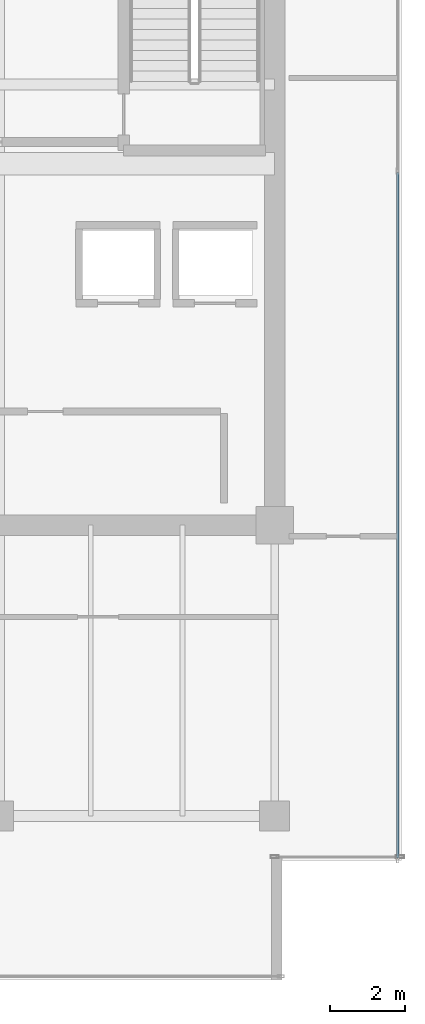
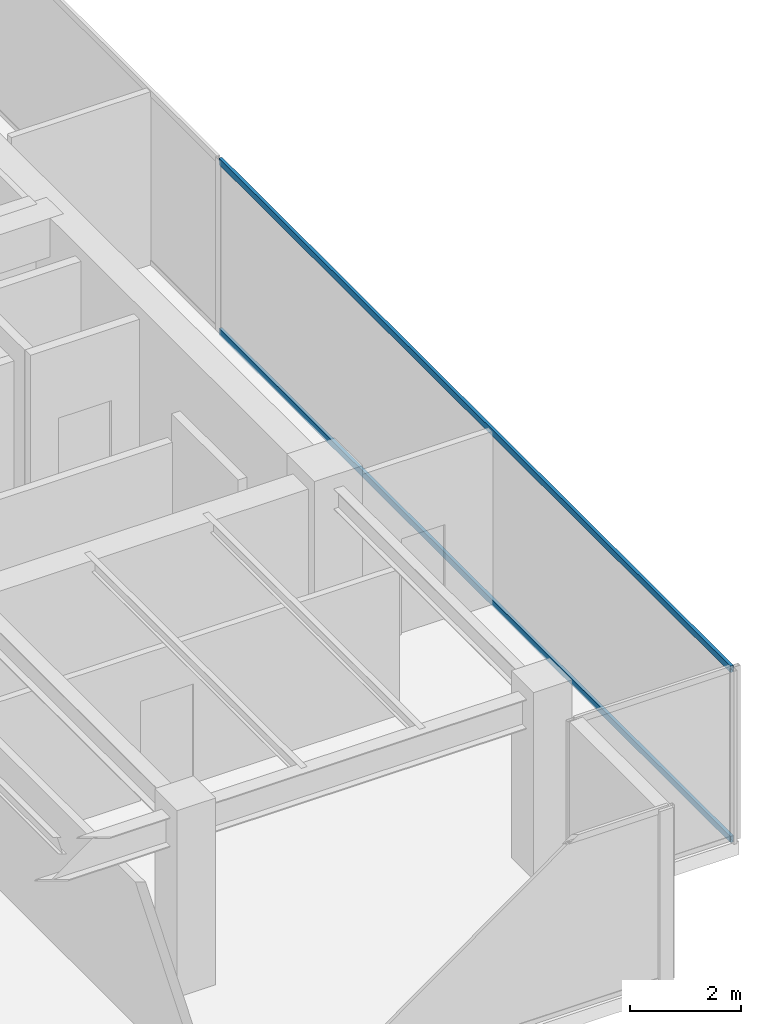
# One storey, part 23 of 33: 2 members, 1 element without a shape of its own.
"""IFC4 building model written with IfcOpenShell, lengths in metres."""

from ifc_helpers import new_model, si_unit, direction, frame, origin, origin_2d, place, context, subcontext, project, spatial, hollow_rectangle, extrude, source, transform, mapped, material, layer, layer_set, material_profile, profile_set, type_object, type_shapes, element, aggregate, save


model = new_model("IFC4")

# Units and contexts
model_context = context("Model", 3, precision=1e-05, world=origin(), true_north=direction((0.0, 1.0)))
body_context = subcontext(model_context, "Body", "Model", "MODEL_VIEW")
ifc_project = project(units=[si_unit("LENGTHUNIT", "METRE"), si_unit("AREAUNIT", "SQUARE_METRE"), si_unit("VOLUMEUNIT", "CUBIC_METRE"), si_unit("PLANEANGLEUNIT", "RADIAN"), si_unit("MASSUNIT", "GRAM", prefix="KILO")], contexts=[model_context])

# Site, building, storey
site_placement = place(None, origin())
site = spatial("IfcSite", under=ifc_project, at=site_placement, CompositionType="ELEMENT")
building_placement = place(site_placement, origin())
building = spatial("IfcBuilding", under=site, at=building_placement, Name="Haelvirn Gate Laboratories", CompositionType="ELEMENT")
storey_placement = place(building_placement, frame((0.0, 0.0, 279.300048828125)))
storey = spatial("IfcBuildingStorey", under=building, at=storey_placement, Name="L67", CompositionType="ELEMENT", Elevation=279.300048828125)

# Curtain wall, members
ifc_material_1 = material(Name="Anodised bronze unitised aluminium & triple low-E glass", Category="aluminium")
ifc_layer = layer(ifc_material_1, 0.176025390625, Name="CW-SYS-4")
ifc_layer_set = layer_set([ifc_layer], Name="Anodised bronze unitised aluminium & triple low-E glass")
curtain_wall_type = type_object("IfcCurtainWallType", Name="CW-SYS-4", PredefinedType="NOTDEFINED", material=ifc_layer_set)
curtain_wall_placement = place(storey_placement, origin())
curtain_wall = element("IfcCurtainWall", 1, at=curtain_wall_placement, inside=storey, type_object=curtain_wall_type, Name="L67 Unitised Curtain Wall CW-L67-P0-E07", PredefinedType="NOTDEFINED")
ifc_material_2 = material(Name="Extruded aluminium 6063-T6 (anodised bronze)", Category="aluminium")
ifc_material_profile = material_profile(ifc_material_2, hollow_rectangle(XDim=0.06494140625, YDim=0.139892578125, WallThickness=0.00390625, at=origin_2d()), Name="CWT-140x65x4")
ifc_profile_set = profile_set([ifc_material_profile], Name="Extruded aluminium 6063-T6 (anodised bronze)")
member_type = type_object("IfcMemberType", Name="CWT-T140", PredefinedType="USERDEFINED", material=ifc_profile_set)
shared_shape = source(origin(), body_context, "Body", "SweptSolid", [
    extrude(hollow_rectangle(XDim=0.06494140625, YDim=0.139892578125, WallThickness=0.00390625, at=origin_2d()), origin(), (0.0, 0.0, 1.0), 18.394775390625),
])
type_shapes(member_type, [shared_shape])
member_1_placement = place(storey_placement, frame((70.699951171875, 5.8701171875, 0.032470703125), z_axis=(0.0, 1.0, 0.0), x_axis=(-1.0, 0.0, 0.0)))
member_1 = element("IfcMember", 2, at=member_1_placement, type_object=member_type, Name="CW4 transom 1.1", ObjectType="TRANSOM", PredefinedType="USERDEFINED", context=body_context, shape_type="MappedRepresentation", body=[
    mapped(shared_shape, transform((0.0, 0.0, 0.0), scale=1.0)),
])
member_2_placement = place(storey_placement, frame((70.699951171875, 5.8701171875, 3.767333984375), z_axis=(0.0, 1.0, 0.0), x_axis=(-1.0, 0.0, 0.0)))
member_2 = element("IfcMember", 3, at=member_2_placement, type_object=member_type, Name="CW4 transom 1.2", ObjectType="TRANSOM", PredefinedType="USERDEFINED", context=body_context, shape_type="MappedRepresentation", body=[
    mapped(shared_shape, transform((0.0, 0.0, 0.0), scale=1.0)),
])
aggregate(curtain_wall, [member_1, member_2])

save(model, "model.ifc")
